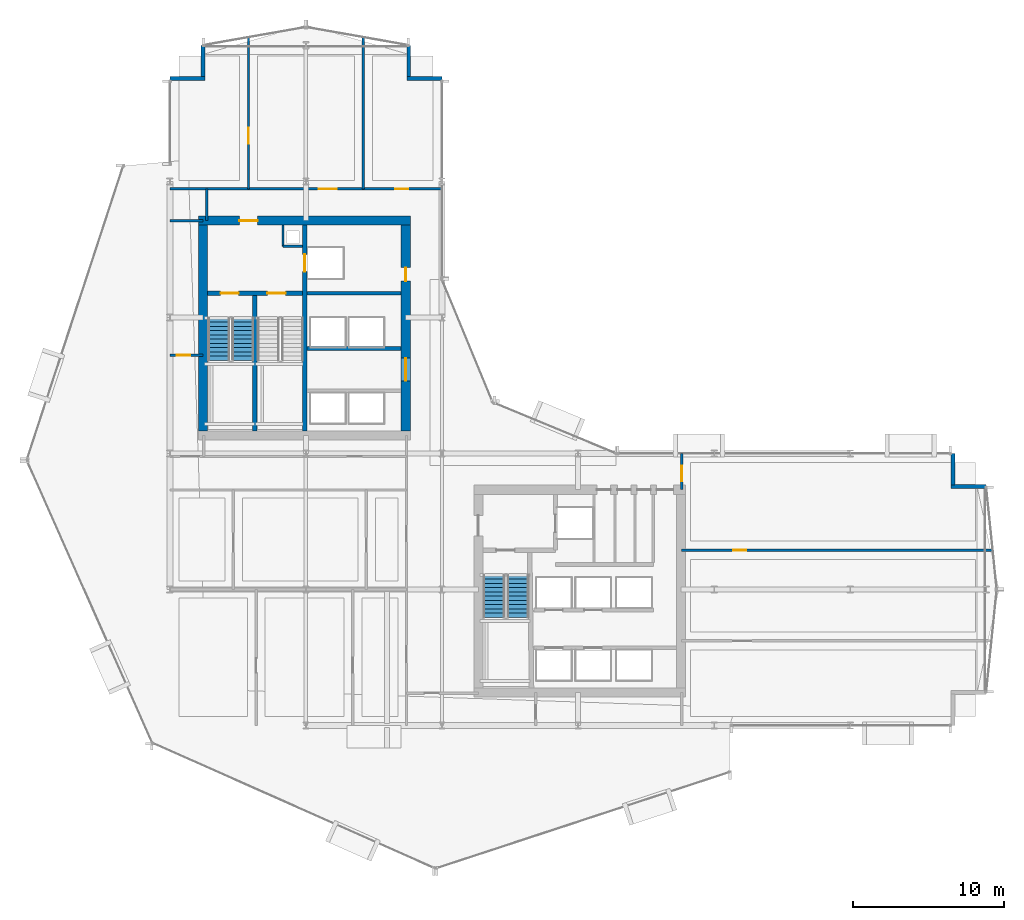
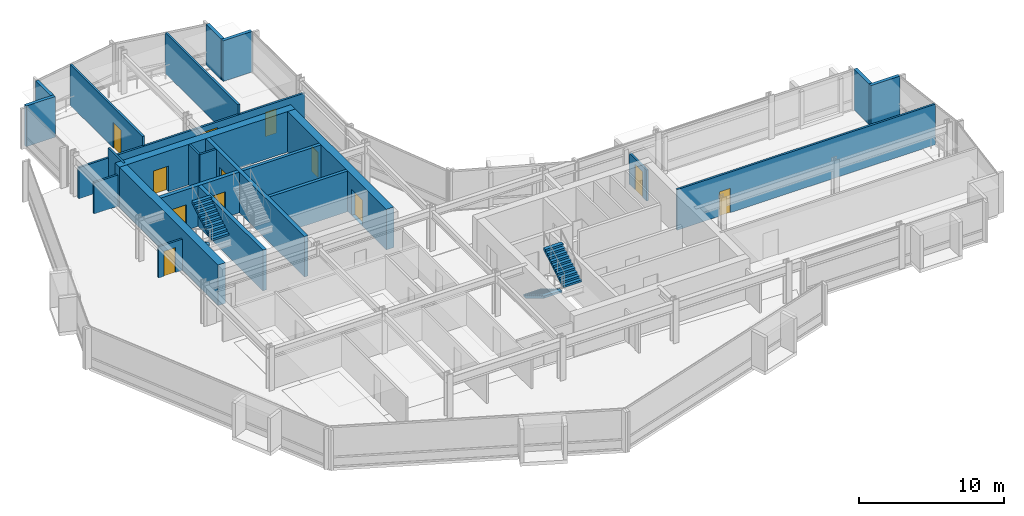
# One storey, part 28 of 34: 24 walls, 12 doors, 4 stair flights, 12 openings, 2 elements without a shape of their own.
"""IFC4 building model written with IfcOpenShell, lengths in metres."""

from ifc_helpers import new_model, si_unit, direction, frame, frame_2d, origin, place, context, subcontext, project, spatial, polyline, rectangle, outline, extrude, material, layer, layer_set, type_object, element, fill, aggregate, save


model = new_model("IFC4")

# Units and contexts
model_context = context("Model", 3, precision=1e-05, world=origin(), true_north=direction((0.0, 1.0)))
body_context = subcontext(model_context, "Body", "Model", "MODEL_VIEW")
ifc_project = project(units=[si_unit("LENGTHUNIT", "METRE"), si_unit("AREAUNIT", "SQUARE_METRE"), si_unit("VOLUMEUNIT", "CUBIC_METRE"), si_unit("PLANEANGLEUNIT", "RADIAN"), si_unit("MASSUNIT", "GRAM", prefix="KILO")], contexts=[model_context])

# Site, building, storey
site_placement = place(None, origin())
site = spatial("IfcSite", under=ifc_project, at=site_placement, CompositionType="ELEMENT")
building_placement = place(site_placement, origin())
building = spatial("IfcBuilding", under=site, at=building_placement, Name="Solvaryn Broadcast Tower", CompositionType="ELEMENT")
storey_placement = place(building_placement, frame((0.0, 0.0, 69.300048828125)))
storey = spatial("IfcBuildingStorey", under=building, at=storey_placement, Name="L16", CompositionType="ELEMENT", Elevation=69.300048828125)

# Wall, opening, door
ifc_material_1 = material(Name="Concrete f'c 70 MPa", Category="concrete")
ifc_layer_1 = layer(ifc_material_1, 0.60009765625)
ifc_layer_set_1 = layer_set([ifc_layer_1], Name="CW-SHEAR-600")
wall_type_1 = type_object("IfcWallType", Name="CW-SHEAR-600", PredefinedType="SHEAR", material=ifc_layer_set_1)
wall_1_placement = place(storey_placement, frame((24.89990234375, 42.39990234375, 0.0), z_axis=(0.0, 0.0, 1.0), x_axis=(-1.0, 0.0, 0.0)))
wall_1 = element("IfcWall", 1, at=wall_1_placement, inside=storey, type_object=wall_type_1, Name="L16 West Core North Shear Wall", PredefinedType="SHEAR", context=body_context, shape_type="SweptSolid", body=[
    extrude(rectangle(XDim=14.0, YDim=0.60009765625, at=frame_2d((7.0, 0.0))), origin(), (0.0, 0.0, 1.0), 3.419921875),
])
opening_1_placement = place(wall_1_placement, frame((10.10009765625, 0.0, 0.0)))
opening_1 = element("IfcOpeningElement", 2, at=opening_1_placement, cuts=wall_1, Name="Opening FD90A", PredefinedType="OPENING", context=body_context, shape_type="SweptSolid", body=[
    extrude(rectangle(XDim=1.199951171875, YDim=2.14990234375, at=frame_2d((0.60009765625, 1.074951171875))), frame((0.0, 0.31005859375, 0.0), z_axis=(0.0, -1.0, 0.0), x_axis=(1.0, 0.0, 0.0)), (0.0, 0.0, 1.0), 0.6201171875),
])
ifc_material_2 = material(Name="Flush Acoustic Steel and Timber Door Assembly", Category="steel")
door_type_1 = type_object("IfcDoorType", Name="FD90-STAIR-1200X2150", OperationType="NOTDEFINED", PredefinedType="DOOR", material=ifc_material_2)
door_1_placement = place(opening_1_placement, origin())
door_1 = element("IfcDoor", 3, at=door_1_placement, inside=storey, type_object=door_type_1, Name="L16 West FSAE Lobby Corridor Door", OperationType="SINGLE_SWING_LEFT", OverallHeight=2.14990234375, OverallWidth=1.199951171875, PredefinedType="DOOR", context=body_context, shape_type="SweptSolid", body=[
    extrude(rectangle(XDim=1.199951171875, YDim=2.14990234375, at=frame_2d((0.60009765625, 1.074951171875))), frame((0.0, 0.02490234375, 0.0), z_axis=(0.0, -1.0, 0.0), x_axis=(1.0, 0.0, 0.0)), (0.0, 0.0, 1.0), 0.050048828125),
])
fill(opening_1, door_1)

# Wall
wall_2_placement = place(storey_placement, frame((11.199951171875, 42.10009765625, 0.0), z_axis=(0.0, 0.0, 1.0), x_axis=(0.0, -1.0, 0.0)))
element("IfcWall", 4, at=wall_2_placement, inside=storey, type_object=wall_type_1, Name="L16 West Core West Shear Wall", PredefinedType="SHEAR", context=body_context, shape_type="SweptSolid", body=[
    extrude(rectangle(XDim=13.60009765625, YDim=0.60009765625, at=frame_2d((6.800048828125, 0.0))), origin(), (0.0, 0.0, 1.0), 3.419921875),
])

# Wall, openings, doors
wall_3_placement = place(storey_placement, frame((24.60009765625, 28.5, 0.0), z_axis=(0.0, 0.0, 1.0), x_axis=(0.0, 1.0, 0.0)))
wall_3 = element("IfcWall", 5, at=wall_3_placement, inside=storey, type_object=wall_type_1, Name="L16 West Core East Shear Wall", PredefinedType="SHEAR", context=body_context, shape_type="SweptSolid", body=[
    extrude(rectangle(XDim=13.60009765625, YDim=0.60009765625, at=frame_2d((6.800048828125, 0.0))), origin(), (0.0, 0.0, 1.0), 3.419921875),
])
opening_2_placement = place(wall_3_placement, frame((3.300048828125, 0.0, 0.0)))
opening_2 = element("IfcOpeningElement", 6, at=opening_2_placement, cuts=wall_3, Name="Opening FD60A", PredefinedType="OPENING", context=body_context, shape_type="SweptSolid", body=[
    extrude(rectangle(XDim=1.5, YDim=2.199951171875, at=frame_2d((0.75, 1.10009765625))), frame((0.0, 0.31005859375, 0.0), z_axis=(0.0, -1.0, 0.0), x_axis=(1.0, 0.0, 0.0)), (0.0, 0.0, 1.0), 0.6201171875),
])
opening_3_placement = place(wall_3_placement, frame((9.89990234375, 0.0, 0.0)))
opening_3 = element("IfcOpeningElement", 7, at=opening_3_placement, cuts=wall_3, Name="Opening FD60C", PredefinedType="OPENING", context=body_context, shape_type="SweptSolid", body=[
    extrude(rectangle(XDim=0.89990234375, YDim=2.10009765625, at=frame_2d((0.449951171875, 1.050048828125))), frame((0.0, 0.31005859375, 0.0), z_axis=(0.0, -1.0, 0.0), x_axis=(1.0, 0.0, 0.0)), (0.0, 0.0, 1.0), 0.6201171875),
])
ifc_material_3 = material(Name="Flush Acoustic Steel and Timber Door Assembly", Category="steel")
door_type_2 = type_object("IfcDoorType", Name="FD60-CORR-1500X2200", OperationType="NOTDEFINED", PredefinedType="DOOR", material=ifc_material_3)
door_2_placement = place(opening_2_placement, origin())
door_2 = element("IfcDoor", 8, at=door_2_placement, inside=storey, type_object=door_type_2, Name="L16 West Elevator Lobby Corridor Door", OperationType="DOUBLE_DOOR_SINGLE_SWING", OverallHeight=2.199951171875, OverallWidth=1.5, PredefinedType="DOOR", context=body_context, shape_type="SweptSolid", body=[
    extrude(rectangle(XDim=1.5, YDim=2.199951171875, at=frame_2d((0.75, 1.10009765625))), frame((0.0, 0.02490234375, 0.0), z_axis=(0.0, -1.0, 0.0), x_axis=(1.0, 0.0, 0.0)), (0.0, 0.0, 1.0), 0.050048828125),
])
fill(opening_2, door_2)
ifc_material_4 = material(Name="Flush Acoustic Steel and Timber Door Assembly", Category="steel")
door_type_3 = type_object("IfcDoorType", Name="FD60-SERV-900X2100", OperationType="NOTDEFINED", PredefinedType="DOOR", material=ifc_material_4)
door_3_placement = place(opening_3_placement, origin())
door_3 = element("IfcDoor", 9, at=door_3_placement, inside=storey, type_object=door_type_3, Name="L16 West Core Service Door 1", OperationType="SINGLE_SWING_LEFT", OverallHeight=2.10009765625, OverallWidth=0.89990234375, PredefinedType="DOOR", context=body_context, shape_type="SweptSolid", body=[
    extrude(rectangle(XDim=0.89990234375, YDim=2.10009765625, at=frame_2d((0.449951171875, 1.050048828125))), frame((0.0, 0.02490234375, 0.0), z_axis=(0.0, -1.0, 0.0), x_axis=(1.0, 0.0, 0.0)), (0.0, 0.0, 1.0), 0.050048828125),
])
fill(opening_3, door_3)

# Walls
ifc_material_5 = material(Name="Concrete f'c 50 MPa", Category="concrete")
ifc_layer_2 = layer(ifc_material_5, 0.260009765625)
ifc_layer_set_2 = layer_set([ifc_layer_2], Name="EW-PIER-260")
wall_type_2 = type_object("IfcWallType", Name="EW-PIER-260", PredefinedType="SOLIDWALL", material=ifc_layer_set_2)
wall_4_placement = place(storey_placement, frame((9.0, 51.800048828125, 0.0), z_axis=(0.0, 0.0, 1.0), x_axis=(1.0, 0.0, 0.0)))
element("IfcWall", 10, at=wall_4_placement, inside=storey, type_object=wall_type_2, Name="L16 Notched Corner Pier Wall NNW1", PredefinedType="SOLIDWALL", context=body_context, shape_type="SweptSolid", body=[
    extrude(rectangle(XDim=2.320068359375, YDim=0.260009765625, at=frame_2d((1.16015625, 0.0))), origin(), (0.0, 0.0, 1.0), 3.419921875),
])
for number, where, z_axis, x_axis, name in (
    (11, (11.199951171875, 51.919921875, 0.0), (0.0, 0.0, 1.0), (0.0, 1.0, 0.0), "L16 Notched Corner Pier Wall NNW2"),
    (12, (24.800048828125, 54.0, 0.0), (0.0, 0.0, 1.0), (0.0, -1.0, 0.0), "L16 Notched Corner Pier Wall NNE1"),
):
    element("IfcWall", number, at=place(storey_placement, frame(where, z_axis=z_axis, x_axis=x_axis)), inside=storey, type_object=wall_type_2, Name=name, PredefinedType="SOLIDWALL", context=body_context, shape_type="SweptSolid", body=[
        extrude(rectangle(XDim=2.080078125, YDim=0.260009765625, at=frame_2d((1.0400390625, 0.0))), origin(), (0.0, 0.0, 1.0), 3.419921875),
    ])
for number, where, z_axis, x_axis, name in (
    (13, (24.679931640625, 51.800048828125, 0.0), (0.0, 0.0, 1.0), (1.0, 0.0, 0.0), "L16 Notched Corner Pier Wall NNE2"),
    (14, (63.0, 24.800048828125, 0.0), (0.0, 0.0, 1.0), (-1.0, 0.0, 0.0), "L16 Notched Corner Pier Wall NEE1"),
):
    element("IfcWall", number, at=place(storey_placement, frame(where, z_axis=z_axis, x_axis=x_axis)), inside=storey, type_object=wall_type_2, Name=name, PredefinedType="SOLIDWALL", context=body_context, shape_type="SweptSolid", body=[
        extrude(rectangle(XDim=2.320068359375, YDim=0.260009765625, at=frame_2d((1.16015625, 0.0))), origin(), (0.0, 0.0, 1.0), 3.419921875),
    ])
wall_5_placement = place(storey_placement, frame((60.800048828125, 24.919921875, 0.0), z_axis=(0.0, 0.0, 1.0), x_axis=(0.0, 1.0, 0.0)))
element("IfcWall", 15, at=wall_5_placement, inside=storey, type_object=wall_type_2, Name="L16 Notched Corner Pier Wall NEE2", PredefinedType="SOLIDWALL", context=body_context, shape_type="SweptSolid", body=[
    extrude(rectangle(XDim=2.080078125, YDim=0.260009765625, at=frame_2d((1.0400390625, 0.0))), origin(), (0.0, 0.0, 1.0), 3.419921875),
])
ifc_material_6 = material(Name="Metal-Stud Service Core Partition")
ifc_layer_3 = layer(ifc_material_6, 0.14990234375)
ifc_layer_set_3 = layer_set([ifc_layer_3], Name="IW-PART-150")
wall_type_3 = type_object("IfcWallType", Name="IW-PART-150", PredefinedType="PARTITIONING", material=ifc_layer_set_3)
wall_6_placement = place(storey_placement, frame((16.47998046875, 40.699951171875, 0.0), z_axis=(0.0, 0.0, 1.0), x_axis=(1.0, 0.0, 0.0)))
element("IfcWall", 16, at=wall_6_placement, inside=storey, type_object=wall_type_3, Name="L16 West Core Riser Shaft South Wall", PredefinedType="PARTITIONING", context=body_context, shape_type="SweptSolid", body=[
    extrude(rectangle(XDim=1.2900390625, YDim=0.14990234375, at=frame_2d((0.64501953125, 0.0))), origin(), (0.0, 0.0, 1.0), 3.419921875),
])
wall_7_placement = place(storey_placement, frame((16.47998046875, 40.699951171875, 0.0), z_axis=(0.0, 0.0, 1.0), x_axis=(0.0, 1.0, 0.0)))
element("IfcWall", 17, at=wall_7_placement, inside=storey, type_object=wall_type_3, Name="L16 West Core Riser Shaft West Wall", PredefinedType="PARTITIONING", context=body_context, shape_type="SweptSolid", body=[
    extrude(rectangle(XDim=1.400146484375, YDim=0.14990234375, at=frame_2d((0.7001953125, 0.0))), origin(), (0.0, 0.0, 1.0), 3.419921875),
])

# Wall, opening, door
wall_8_placement = place(storey_placement, frame((9.0, 33.5, 0.0), z_axis=(0.0, 0.0, 1.0), x_axis=(1.0, 0.0, 0.0)))
wall_8 = element("IfcWall", 18, at=wall_8_placement, inside=storey, type_object=wall_type_3, Name="L16 Interior Partition IW-L16-WM-M", PredefinedType="PARTITIONING", context=body_context, shape_type="SweptSolid", body=[
    extrude(rectangle(XDim=2.199951171875, YDim=0.14990234375, at=frame_2d((1.10009765625, 0.0))), origin(), (0.0, 0.0, 1.0), 2.626953125),
])
opening_4_placement = place(wall_8_placement, frame((0.449951171875, 0.0, 0.0)))
opening_4 = element("IfcOpeningElement", 19, at=opening_4_placement, cuts=wall_8, Name="Opening FD60C", PredefinedType="OPENING", context=body_context, shape_type="SweptSolid", body=[
    extrude(rectangle(XDim=0.89990234375, YDim=2.10009765625, at=frame_2d((0.449951171875, 1.050048828125))), frame((0.0, 0.0849609375, 0.0), z_axis=(0.0, -1.0, 0.0), x_axis=(1.0, 0.0, 0.0)), (0.0, 0.0, 1.0), 0.169921875),
])
door_4_placement = place(opening_4_placement, origin())
door_4 = element("IfcDoor", 20, at=door_4_placement, inside=storey, type_object=door_type_3, Name="L16 Door DR-L16-WM1", OperationType="SINGLE_SWING_LEFT", OverallHeight=2.10009765625, OverallWidth=0.89990234375, PredefinedType="DOOR", context=body_context, shape_type="SweptSolid", body=[
    extrude(rectangle(XDim=0.89990234375, YDim=2.10009765625, at=frame_2d((0.449951171875, 1.050048828125))), frame((0.0, 0.02490234375, 0.0), z_axis=(0.0, -1.0, 0.0), x_axis=(1.0, 0.0, 0.0)), (0.0, 0.0, 1.0), 0.050048828125),
])
fill(opening_4, door_4)

# Walls
ifc_material_7 = material(Name="Metal-Stud Gypsum Office Partition")
ifc_layer_4 = layer(ifc_material_7, 0.159912109375)
ifc_layer_set_4 = layer_set([ifc_layer_4], Name="IW-PART-160")
wall_type_4 = type_object("IfcWallType", Name="IW-PART-160", PredefinedType="PARTITIONING", material=ifc_layer_set_4)
wall_9_placement = place(storey_placement, frame((9.0, 42.39990234375, 0.0), z_axis=(0.0, 0.0, 1.0), x_axis=(1.0, 0.0, 0.0)))
element("IfcWall", 21, at=wall_9_placement, inside=storey, type_object=wall_type_4, Name="L16 Interior Partition IW-L16-WM-N", PredefinedType="PARTITIONING", context=body_context, shape_type="SweptSolid", body=[
    extrude(rectangle(XDim=2.199951171875, YDim=0.159912109375, at=frame_2d((1.10009765625, 0.0))), origin(), (0.0, 0.0, 1.0), 2.626953125),
])
wall_10_placement = place(storey_placement, frame((11.449951171875, 42.39990234375, 0.0), z_axis=(0.0, 0.0, 1.0), x_axis=(0.0, 1.0, 0.0)))
element("IfcWall", 22, at=wall_10_placement, inside=storey, type_object=wall_type_4, Name="L16 Interior Partition IW-L16-WM-E", PredefinedType="PARTITIONING", context=body_context, shape_type="SweptSolid", body=[
    extrude(rectangle(XDim=2.10009765625, YDim=0.159912109375, at=frame_2d((1.050048828125, 0.0))), origin(), (0.0, 0.0, 1.0), 3.419921875),
])

# Wall, openings, doors
wall_11_placement = place(storey_placement, frame((9.0, 44.5, 0.0), z_axis=(0.0, 0.0, 1.0), x_axis=(1.0, 0.0, 0.0)))
wall_11 = element("IfcWall", 23, at=wall_11_placement, inside=storey, type_object=wall_type_4, Name="L16 Interior Partition IW-L16-NW-SB", PredefinedType="PARTITIONING", context=body_context, shape_type="SweptSolid", body=[
    extrude(rectangle(XDim=18.0, YDim=0.159912109375, at=frame_2d((9.0, 0.0))), origin(), (0.0, 0.0, 1.0), 2.626953125),
])
opening_5_placement = place(wall_11_placement, frame((9.85009765625, 0.0, 0.0)))
opening_5 = element("IfcOpeningElement", 24, at=opening_5_placement, cuts=wall_11, Name="Opening ID04", PredefinedType="OPENING", context=body_context, shape_type="SweptSolid", body=[
    extrude(rectangle(XDim=1.199951171875, YDim=2.14990234375, at=frame_2d((0.60009765625, 1.074951171875))), frame((0.0, 0.090087890625, 0.0), z_axis=(0.0, -1.0, 0.0), x_axis=(1.0, 0.0, 0.0)), (0.0, 0.0, 1.0), 0.179931640625),
])
opening_6_placement = place(wall_11_placement, frame((14.89990234375, 0.0, 0.0)))
opening_6 = element("IfcOpeningElement", 25, at=opening_6_placement, cuts=wall_11, Name="Opening ID07", PredefinedType="OPENING", context=body_context, shape_type="SweptSolid", body=[
    extrude(rectangle(XDim=0.860107421875, YDim=2.050048828125, at=frame_2d((0.43017578125, 1.02490234375))), frame((0.0, 0.090087890625, 0.0), z_axis=(0.0, -1.0, 0.0), x_axis=(1.0, 0.0, 0.0)), (0.0, 0.0, 1.0), 0.179931640625),
])
ifc_material_8 = material(Name="Flush Acoustic Steel and Timber Door Assembly", Category="steel")
door_type_4 = type_object("IfcDoorType", Name="ID-04-1200X2150", OperationType="NOTDEFINED", PredefinedType="DOOR", material=ifc_material_8)
door_5_placement = place(opening_5_placement, origin())
door_5 = element("IfcDoor", 26, at=door_5_placement, inside=storey, type_object=door_type_4, Name="L16 Door DR-L16-NW-2", OperationType="SINGLE_SWING_RIGHT", OverallHeight=2.14990234375, OverallWidth=1.199951171875, PredefinedType="DOOR", context=body_context, shape_type="SweptSolid", body=[
    extrude(rectangle(XDim=1.199951171875, YDim=2.14990234375, at=frame_2d((0.60009765625, 1.074951171875))), frame((0.0, 0.02490234375, 0.0), z_axis=(0.0, -1.0, 0.0), x_axis=(1.0, 0.0, 0.0)), (0.0, 0.0, 1.0), 0.050048828125),
])
fill(opening_5, door_5)
ifc_material_9 = material(Name="Flush Acoustic Steel and Timber Door Assembly", Category="steel")
door_type_5 = type_object("IfcDoorType", Name="ID-07-860X2050", OperationType="NOTDEFINED", PredefinedType="DOOR", material=ifc_material_9)
door_6_placement = place(opening_6_placement, origin())
door_6 = element("IfcDoor", 27, at=door_6_placement, inside=storey, type_object=door_type_5, Name="L16 Door DR-L16-NW-3", OperationType="SINGLE_SWING_LEFT", OverallHeight=2.050048828125, OverallWidth=0.860107421875, PredefinedType="DOOR", context=body_context, shape_type="SweptSolid", body=[
    extrude(rectangle(XDim=0.860107421875, YDim=2.050048828125, at=frame_2d((0.43017578125, 1.02490234375))), frame((0.0, 0.02490234375, 0.0), z_axis=(0.0, -1.0, 0.0), x_axis=(1.0, 0.0, 0.0)), (0.0, 0.0, 1.0), 0.050048828125),
])
fill(opening_6, door_6)

# Wall, opening, door
wall_12_placement = place(storey_placement, frame((14.199951171875, 44.5, 0.0), z_axis=(0.0, 0.0, 1.0), x_axis=(0.0, 1.0, 0.0)))
wall_12 = element("IfcWall", 28, at=wall_12_placement, inside=storey, type_object=wall_type_4, Name="L16 Interior Partition IW-L16-NW-V1", PredefinedType="PARTITIONING", context=body_context, shape_type="SweptSolid", body=[
    extrude(rectangle(XDim=10.029052734375, YDim=0.159912109375, at=frame_2d((5.0146484375, 0.0))), origin(), (0.0, 0.0, 1.0), 3.419921875),
])
opening_7_placement = place(wall_12_placement, frame((3.0, 0.0, 0.0)))
opening_7 = element("IfcOpeningElement", 29, at=opening_7_placement, cuts=wall_12, Name="Opening ID03", PredefinedType="OPENING", context=body_context, shape_type="SweptSolid", body=[
    extrude(rectangle(XDim=1.050048828125, YDim=2.14990234375, at=frame_2d((0.52490234375, 1.074951171875))), frame((0.0, 0.090087890625, 0.0), z_axis=(0.0, -1.0, 0.0), x_axis=(1.0, 0.0, 0.0)), (0.0, 0.0, 1.0), 0.179931640625),
])
ifc_material_10 = material(Name="Flush Acoustic Steel and Timber Door Assembly", Category="steel")
door_type_6 = type_object("IfcDoorType", Name="ID-03-1050X2150", OperationType="NOTDEFINED", PredefinedType="DOOR", material=ifc_material_10)
door_7_placement = place(opening_7_placement, origin())
door_7 = element("IfcDoor", 30, at=door_7_placement, inside=storey, type_object=door_type_6, Name="L16 Door DR-L16-NW-C1", OperationType="SINGLE_SWING_LEFT", OverallHeight=2.14990234375, OverallWidth=1.050048828125, PredefinedType="DOOR", context=body_context, shape_type="SweptSolid", body=[
    extrude(rectangle(XDim=1.050048828125, YDim=2.14990234375, at=frame_2d((0.52490234375, 1.074951171875))), frame((0.0, 0.02490234375, 0.0), z_axis=(0.0, -1.0, 0.0), x_axis=(1.0, 0.0, 0.0)), (0.0, 0.0, 1.0), 0.050048828125),
])
fill(opening_7, door_7)

# Wall
wall_13_placement = place(storey_placement, frame((21.800048828125, 44.5, 0.0), z_axis=(0.0, 0.0, 1.0), x_axis=(0.0, 1.0, 0.0)))
element("IfcWall", 31, at=wall_13_placement, inside=storey, type_object=wall_type_4, Name="L16 Interior Partition IW-L16-NW-V2", PredefinedType="PARTITIONING", context=body_context, shape_type="SweptSolid", body=[
    extrude(rectangle(XDim=10.029052734375, YDim=0.159912109375, at=frame_2d((5.0146484375, 0.0))), origin(), (0.0, 0.0, 1.0), 3.419921875),
])

# Wall, opening, door
wall_14_placement = place(storey_placement, frame((42.85009765625, 24.60009765625, 0.0), z_axis=(0.0, 0.0, 1.0), x_axis=(0.0, 1.0, 0.0)))
wall_14 = element("IfcWall", 32, at=wall_14_placement, inside=storey, type_object=wall_type_4, Name="L16 Interior Partition IW-L16-EW-BN", PredefinedType="PARTITIONING", context=body_context, shape_type="SweptSolid", body=[
    extrude(rectangle(XDim=2.39990234375, YDim=0.159912109375, at=frame_2d((1.199951171875, 0.0))), origin(), (0.0, 0.0, 1.0), 2.626953125),
])
opening_8_placement = place(wall_14_placement, frame((0.550048828125, 0.0, 0.0)))
opening_8 = element("IfcOpeningElement", 33, at=opening_8_placement, cuts=wall_14, Name="Opening ID03", PredefinedType="OPENING", context=body_context, shape_type="SweptSolid", body=[
    extrude(rectangle(XDim=1.050048828125, YDim=2.14990234375, at=frame_2d((0.52490234375, 1.074951171875))), frame((0.0, 0.090087890625, 0.0), z_axis=(0.0, -1.0, 0.0), x_axis=(1.0, 0.0, 0.0)), (0.0, 0.0, 1.0), 0.179931640625),
])
door_8_placement = place(opening_8_placement, origin())
door_8 = element("IfcDoor", 34, at=door_8_placement, inside=storey, type_object=door_type_6, Name="L16 Door DR-L16-EW0", OperationType="SINGLE_SWING_RIGHT", OverallHeight=2.14990234375, OverallWidth=1.050048828125, PredefinedType="DOOR", context=body_context, shape_type="SweptSolid", body=[
    extrude(rectangle(XDim=1.050048828125, YDim=2.14990234375, at=frame_2d((0.52490234375, 1.074951171875))), frame((0.0, 0.02490234375, 0.0), z_axis=(0.0, -1.0, 0.0), x_axis=(1.0, 0.0, 0.0)), (0.0, 0.0, 1.0), 0.050048828125),
])
fill(opening_8, door_8)

wall_15_placement = place(storey_placement, frame((42.85009765625, 20.60009765625, 0.0), z_axis=(0.0, 0.0, 1.0), x_axis=(1.0, 0.0, 0.0)))
wall_15 = element("IfcWall", 35, at=wall_15_placement, inside=storey, type_object=wall_type_4, Name="L16 Interior Partition IW-L16-EW-H2", PredefinedType="PARTITIONING", context=body_context, shape_type="SweptSolid", body=[
    extrude(rectangle(XDim=20.581787109375, YDim=0.159912109375, at=frame_2d((10.291015625, 0.0))), origin(), (0.0, 0.0, 1.0), 3.419921875),
])
opening_9_placement = place(wall_15_placement, frame((3.39990234375, 0.0, 0.0)))
opening_9 = element("IfcOpeningElement", 36, at=opening_9_placement, cuts=wall_15, Name="Opening ID07", PredefinedType="OPENING", context=body_context, shape_type="SweptSolid", body=[
    extrude(rectangle(XDim=0.860107421875, YDim=2.050048828125, at=frame_2d((0.43017578125, 1.02490234375))), frame((0.0, 0.090087890625, 0.0), z_axis=(0.0, -1.0, 0.0), x_axis=(1.0, 0.0, 0.0)), (0.0, 0.0, 1.0), 0.179931640625),
])
door_9_placement = place(opening_9_placement, origin())
door_9 = element("IfcDoor", 37, at=door_9_placement, inside=storey, type_object=door_type_5, Name="L16 Door DR-L16-EW-2", OperationType="SINGLE_SWING_RIGHT", OverallHeight=2.050048828125, OverallWidth=0.860107421875, PredefinedType="DOOR", context=body_context, shape_type="SweptSolid", body=[
    extrude(rectangle(XDim=0.860107421875, YDim=2.050048828125, at=frame_2d((0.43017578125, 1.02490234375))), frame((0.0, 0.02490234375, 0.0), z_axis=(0.0, -1.0, 0.0), x_axis=(1.0, 0.0, 0.0)), (0.0, 0.0, 1.0), 0.050048828125),
])
fill(opening_9, door_9)

# Walls
ifc_material_11 = material(Name="Concrete f'c 60 MPa", Category="concrete")
ifc_layer_5 = layer(ifc_material_11, 0.25)
ifc_layer_set_5 = layer_set([ifc_layer_5], Name="SW-SHAFT-250")
wall_type_5 = type_object("IfcWallType", Name="SW-SHAFT-250", PredefinedType="PARTITIONING", material=ifc_layer_set_5)
for number, where, z_axis, x_axis, name in (
    (38, (18.070068359375, 37.60009765625, 0.0), (0.0, 0.0, 1.0), (1.0, 0.0, 0.0), "L16 West Core FSAE Hoistway Front Wall"),
    (39, (24.300048828125, 33.949951171875, 0.0), (0.0, 0.0, 1.0), (-1.0, 0.0, 0.0), "L16 High-Rise Lift Bank North Wall"),
):
    element("IfcWall", number, at=place(storey_placement, frame(where, z_axis=z_axis, x_axis=x_axis)), inside=storey, type_object=wall_type_5, Name=name, PredefinedType="PARTITIONING", context=body_context, shape_type="SweptSolid", body=[
        extrude(rectangle(XDim=6.22998046875, YDim=0.25, at=frame_2d((3.114990234375, 0.0))), origin(), (0.0, 0.0, 1.0), 3.419921875),
    ])
ifc_material_12 = material(Name="Concrete f'c 70 MPa", Category="concrete")
ifc_layer_6 = layer(ifc_material_12, 0.300048828125)
ifc_layer_set_6 = layer_set([ifc_layer_6], Name="SW-SHAFT-300")
wall_type_6 = type_object("IfcWallType", Name="SW-SHAFT-300", PredefinedType="SHEAR", material=ifc_layer_set_6)
wall_16_placement = place(storey_placement, frame((14.6201171875, 28.5, 0.0), z_axis=(0.0, 0.0, 1.0), x_axis=(0.0, 1.0, 0.0)))
element("IfcWall", 40, at=wall_16_placement, inside=storey, type_object=wall_type_6, Name="L16 Stair 1-2 Dividing Wall", PredefinedType="SHEAR", context=body_context, shape_type="SweptSolid", body=[
    extrude(rectangle(XDim=8.949951171875, YDim=0.300048828125, at=frame_2d((4.47509765625, 0.0))), origin(), (0.0, 0.0, 1.0), 3.419921875),
])

# Wall, opening, door
wall_17_placement = place(storey_placement, frame((17.919921875, 42.10009765625, 0.0), z_axis=(0.0, 0.0, 1.0), x_axis=(0.0, -1.0, 0.0)))
wall_17 = element("IfcWall", 41, at=wall_17_placement, inside=storey, type_object=wall_type_6, Name="L16 West Core Stair-Lobby Shear Wall", PredefinedType="SHEAR", context=body_context, shape_type="SweptSolid", body=[
    extrude(rectangle(XDim=13.60009765625, YDim=0.300048828125, at=frame_2d((6.800048828125, 0.0))), origin(), (0.0, 0.0, 1.0), 3.419921875),
])
opening_10_placement = place(wall_17_placement, frame((1.925048828125, 0.0, 0.0)))
opening_10 = element("IfcOpeningElement", 42, at=opening_10_placement, cuts=wall_17, Name="Opening LD01", PredefinedType="OPENING", context=body_context, shape_type="SweptSolid", body=[
    extrude(rectangle(XDim=1.14990234375, YDim=2.14990234375, at=frame_2d((0.574951171875, 1.074951171875))), frame((0.0, 0.159912109375, 0.0), z_axis=(0.0, -1.0, 0.0), x_axis=(1.0, 0.0, 0.0)), (0.0, 0.0, 1.0), 0.320068359375),
])
ifc_material_13 = material(Name="Flush Acoustic Steel and Timber Door Assembly", Category="steel")
door_type_7 = type_object("IfcDoorType", Name="LD-LIFT-1150X2150", OperationType="NOTDEFINED", PredefinedType="DOOR", material=ifc_material_13)
door_10_placement = place(opening_10_placement, origin())
door_10 = element("IfcDoor", 43, at=door_10_placement, inside=storey, type_object=door_type_7, Name="L16 FL1 Lift Landing Door", OperationType="DOUBLE_DOOR_SLIDING", OverallHeight=2.14990234375, OverallWidth=1.14990234375, PredefinedType="DOOR", context=body_context, shape_type="SweptSolid", body=[
    extrude(rectangle(XDim=1.14990234375, YDim=2.14990234375, at=frame_2d((0.574951171875, 1.074951171875))), frame((0.0, 0.02490234375, 0.0), z_axis=(0.0, -1.0, 0.0), x_axis=(1.0, 0.0, 0.0)), (0.0, 0.0, 1.0), 0.050048828125),
])
fill(opening_10, door_10)

# Wall, openings, doors
wall_18_placement = place(storey_placement, frame((17.77001953125, 37.60009765625, 0.0), z_axis=(0.0, 0.0, 1.0), x_axis=(-1.0, 0.0, 0.0)))
wall_18 = element("IfcWall", 44, at=wall_18_placement, inside=storey, type_object=wall_type_6, Name="L16 West Core FSAE Lobby South Wall", PredefinedType="SHEAR", context=body_context, shape_type="SweptSolid", body=[
    extrude(rectangle(XDim=6.27001953125, YDim=0.300048828125, at=frame_2d((3.135009765625, 0.0))), origin(), (0.0, 0.0, 1.0), 3.419921875),
])
opening_11_placement = place(wall_18_placement, frame((4.219970703125, 0.0, 0.0)))
opening_11 = element("IfcOpeningElement", 45, at=opening_11_placement, cuts=wall_18, Name="Opening FD90A", PredefinedType="OPENING", context=body_context, shape_type="SweptSolid", body=[
    extrude(rectangle(XDim=1.199951171875, YDim=2.14990234375, at=frame_2d((0.60009765625, 1.074951171875))), frame((0.0, 0.159912109375, 0.0), z_axis=(0.0, -1.0, 0.0), x_axis=(1.0, 0.0, 0.0)), (0.0, 0.0, 1.0), 0.320068359375),
])
opening_12_placement = place(wall_18_placement, frame((1.1201171875, 0.0, 0.0)))
opening_12 = element("IfcOpeningElement", 46, at=opening_12_placement, cuts=wall_18, Name="Opening FD90A", PredefinedType="OPENING", context=body_context, shape_type="SweptSolid", body=[
    extrude(rectangle(XDim=1.199951171875, YDim=2.14990234375, at=frame_2d((0.60009765625, 1.074951171875))), frame((0.0, 0.159912109375, 0.0), z_axis=(0.0, -1.0, 0.0), x_axis=(1.0, 0.0, 0.0)), (0.0, 0.0, 1.0), 0.320068359375),
])
door_11_placement = place(opening_11_placement, origin())
door_11 = element("IfcDoor", 47, at=door_11_placement, inside=storey, type_object=door_type_1, Name="L16 Stair 1 Fire Door", OperationType="SINGLE_SWING_LEFT", OverallHeight=2.14990234375, OverallWidth=1.199951171875, PredefinedType="DOOR", context=body_context, shape_type="SweptSolid", body=[
    extrude(rectangle(XDim=1.199951171875, YDim=2.14990234375, at=frame_2d((0.60009765625, 1.074951171875))), frame((0.0, 0.02490234375, 0.0), z_axis=(0.0, -1.0, 0.0), x_axis=(1.0, 0.0, 0.0)), (0.0, 0.0, 1.0), 0.050048828125),
])
fill(opening_11, door_11)
door_12_placement = place(opening_12_placement, origin())
door_12 = element("IfcDoor", 48, at=door_12_placement, inside=storey, type_object=door_type_1, Name="L16 Stair 2 Fire Door", OperationType="SINGLE_SWING_RIGHT", OverallHeight=2.14990234375, OverallWidth=1.199951171875, PredefinedType="DOOR", context=body_context, shape_type="SweptSolid", body=[
    extrude(rectangle(XDim=1.199951171875, YDim=2.14990234375, at=frame_2d((0.60009765625, 1.074951171875))), frame((0.0, 0.02490234375, 0.0), z_axis=(0.0, -1.0, 0.0), x_axis=(1.0, 0.0, 0.0)), (0.0, 0.0, 1.0), 0.050048828125),
])
fill(opening_12, door_12)

# Stair, stair flights
ifc_material_14 = material(Name="Concrete f'c 60 MPa", Category="concrete")
stair_type = type_object("IfcStairType", Name="ST-CORE", PredefinedType="HALF_TURN_STAIR", material=ifc_material_14)
stair_1_placement = place(storey_placement, origin())
stair_1 = element("IfcStair", 49, at=stair_1_placement, inside=storey, type_object=stair_type, Name="L16 ST1", PredefinedType="HALF_TURN_STAIR")
ifc_material_15 = material(Name="Concrete f'c 60 MPa", Category="concrete")
ifc_layer_7 = layer(ifc_material_15, 0.159912109375)
ifc_layer_set_7 = layer_set([ifc_layer_7], Name="SF-CORE")
stair_flight_type = type_object("IfcStairFlightType", Name="SF-CORE", PredefinedType="STRAIGHT", material=ifc_layer_set_7)
stair_flight_1_placement = place(storey_placement, frame((12.239990234375, 35.9599609375, 0.0), z_axis=(0.0, 0.0, 1.0), x_axis=(0.0, -1.0, 0.0)))
stair_flight_1 = element("IfcStairFlight", 50, at=stair_flight_1_placement, type_object=stair_flight_type, Name="ST1 flight 1", NumberOfRisers=11, NumberOfTreads=10, PredefinedType="STRAIGHT", RiserHeight=0.168181818, TreadLength=0.28, context=body_context, shape_type="SweptSolid", body=[
    extrude(outline(polyline([(0.0, 0.0), (0.0, 0.168212890625), (0.280029296875, 0.168212890625), (0.280029296875, 0.33642578125), (0.56005859375, 0.33642578125), (0.56005859375, 0.504638671875), (0.840087890625, 0.504638671875), (0.840087890625, 0.672607421875), (1.1201171875, 0.672607421875), (1.1201171875, 0.8408203125), (1.39990234375, 0.8408203125), (1.39990234375, 1.009033203125), (1.679931640625, 1.009033203125), (1.679931640625, 1.17724609375), (1.9599609375, 1.17724609375), (1.9599609375, 1.345458984375), (2.239990234375, 1.345458984375), (2.239990234375, 1.513671875), (2.52001953125, 1.513671875), (2.52001953125, 1.681884765625), (2.800048828125, 1.681884765625), (2.800048828125, 1.85009765625), (2.800048828125, 1.5068359375), (0.291015625, 0.0), (0.0, 0.0)])), frame((0.0, 0.719970703125, 0.0), z_axis=(0.0, -1.0, 0.0), x_axis=(1.0, 0.0, 0.0)), (0.0, 0.0, 1.0), 1.43994140625),
])
stair_flight_2_placement = place(storey_placement, frame((13.830078125, 33.159912109375, 1.849853515625), z_axis=(0.0, 0.0, 1.0), x_axis=(0.0, 1.0, 0.0)))
stair_flight_2 = element("IfcStairFlight", 51, at=stair_flight_2_placement, type_object=stair_flight_type, Name="ST1 flight 2", NumberOfRisers=11, NumberOfTreads=10, PredefinedType="STRAIGHT", RiserHeight=0.168181818, TreadLength=0.28, context=body_context, shape_type="SweptSolid", body=[
    extrude(outline(polyline([(0.0, 0.0), (0.0, 0.168212890625), (0.280029296875, 0.168212890625), (0.280029296875, 0.33642578125), (0.56005859375, 0.33642578125), (0.56005859375, 0.504638671875), (0.840087890625, 0.504638671875), (0.840087890625, 0.672607421875), (1.1201171875, 0.672607421875), (1.1201171875, 0.8408203125), (1.39990234375, 0.8408203125), (1.39990234375, 1.009033203125), (1.679931640625, 1.009033203125), (1.679931640625, 1.17724609375), (1.9599609375, 1.17724609375), (1.9599609375, 1.345458984375), (2.239990234375, 1.345458984375), (2.239990234375, 1.513671875), (2.52001953125, 1.513671875), (2.52001953125, 1.681884765625), (2.800048828125, 1.681884765625), (2.800048828125, 1.85009765625), (2.800048828125, 1.5068359375), (0.291015625, 0.0), (0.0, 0.0)])), frame((0.0, 0.719970703125, 0.0), z_axis=(0.0, -1.0, 0.0), x_axis=(1.0, 0.0, 0.0)), (0.0, 0.0, 1.0), 1.43994140625),
])
aggregate(stair_1, [stair_flight_1, stair_flight_2])

stair_2_placement = place(storey_placement, origin())
stair_2 = element("IfcStair", 52, at=stair_2_placement, inside=storey, type_object=stair_type, Name="L16 ST3", PredefinedType="HALF_TURN_STAIR")
stair_flight_3_placement = place(storey_placement, frame((30.43994140625, 18.9599609375, 0.0), z_axis=(0.0, 0.0, 1.0), x_axis=(0.0, -1.0, 0.0)))
stair_flight_3 = element("IfcStairFlight", 53, at=stair_flight_3_placement, type_object=stair_flight_type, Name="ST3 flight 1", NumberOfRisers=11, NumberOfTreads=10, PredefinedType="STRAIGHT", RiserHeight=0.168181818, TreadLength=0.28, context=body_context, shape_type="SweptSolid", body=[
    extrude(outline(polyline([(0.0, 0.0), (0.0, 0.168212890625), (0.280029296875, 0.168212890625), (0.280029296875, 0.33642578125), (0.56005859375, 0.33642578125), (0.56005859375, 0.504638671875), (0.840087890625, 0.504638671875), (0.840087890625, 0.672607421875), (1.1201171875, 0.672607421875), (1.1201171875, 0.8408203125), (1.39990234375, 0.8408203125), (1.39990234375, 1.009033203125), (1.679931640625, 1.009033203125), (1.679931640625, 1.17724609375), (1.9599609375, 1.17724609375), (1.9599609375, 1.345458984375), (2.239990234375, 1.345458984375), (2.239990234375, 1.513671875), (2.52001953125, 1.513671875), (2.52001953125, 1.681884765625), (2.800048828125, 1.681884765625), (2.800048828125, 1.85009765625), (2.800048828125, 1.5068359375), (0.291015625, 0.0), (0.0, 0.0)])), frame((0.0, 0.719970703125, 0.0), z_axis=(0.0, -1.0, 0.0), x_axis=(1.0, 0.0, 0.0)), (0.0, 0.0, 1.0), 1.43994140625),
])
stair_flight_4_placement = place(storey_placement, frame((32.030029296875, 16.159912109375, 1.849853515625), z_axis=(0.0, 0.0, 1.0), x_axis=(0.0, 1.0, 0.0)))
stair_flight_4 = element("IfcStairFlight", 54, at=stair_flight_4_placement, type_object=stair_flight_type, Name="ST3 flight 2", NumberOfRisers=11, NumberOfTreads=10, PredefinedType="STRAIGHT", RiserHeight=0.168181818, TreadLength=0.28, context=body_context, shape_type="SweptSolid", body=[
    extrude(outline(polyline([(0.0, 0.0), (0.0, 0.168212890625), (0.280029296875, 0.168212890625), (0.280029296875, 0.33642578125), (0.56005859375, 0.33642578125), (0.56005859375, 0.504638671875), (0.840087890625, 0.504638671875), (0.840087890625, 0.672607421875), (1.1201171875, 0.672607421875), (1.1201171875, 0.8408203125), (1.39990234375, 0.8408203125), (1.39990234375, 1.009033203125), (1.679931640625, 1.009033203125), (1.679931640625, 1.17724609375), (1.9599609375, 1.17724609375), (1.9599609375, 1.345458984375), (2.239990234375, 1.345458984375), (2.239990234375, 1.513671875), (2.52001953125, 1.513671875), (2.52001953125, 1.681884765625), (2.800048828125, 1.681884765625), (2.800048828125, 1.85009765625), (2.800048828125, 1.5068359375), (0.291015625, 0.0), (0.0, 0.0)])), frame((0.0, 0.719970703125, 0.0), z_axis=(0.0, -1.0, 0.0), x_axis=(1.0, 0.0, 0.0)), (0.0, 0.0, 1.0), 1.43994140625),
])
aggregate(stair_2, [stair_flight_3, stair_flight_4])

save(model, "model.ifc")
